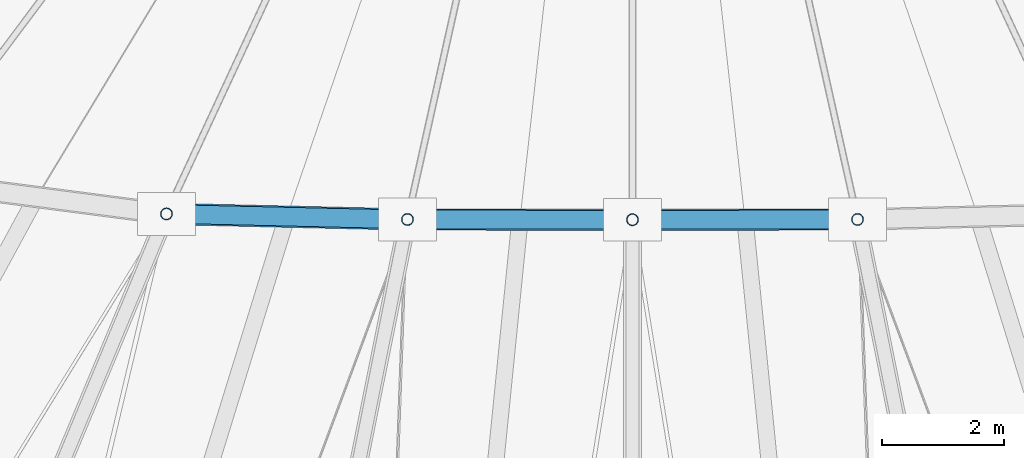
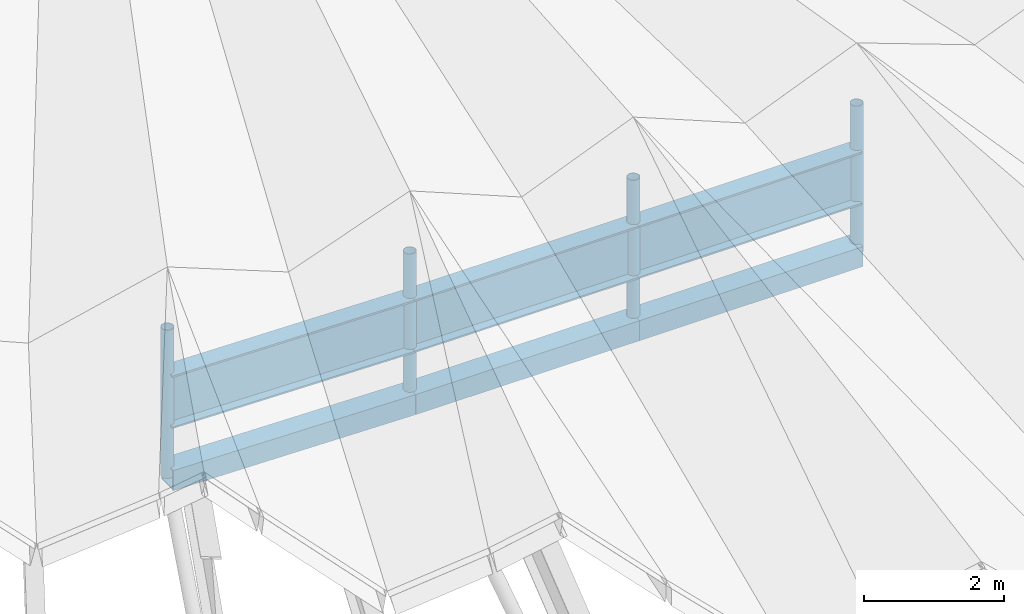
# One storey, part 4 of 41: 7 members, 3 beams.
"""IFC4 building model written with IfcOpenShell, lengths in metres."""

from ifc_helpers import new_model, si_unit, direction, frame, origin, origin_2d, place, context, subcontext, project, spatial, hollow_rectangle, hollow_circle, i_section, extrude, material, material_profile, profile_set, type_object, element, save


model = new_model("IFC4")

# Units and contexts
model_context = context("Model", 3, precision=1e-05, world=origin(), true_north=direction((0.0, 1.0)))
body_context = subcontext(model_context, "Body", "Model", "MODEL_VIEW")
ifc_project = project(units=[si_unit("LENGTHUNIT", "METRE"), si_unit("AREAUNIT", "SQUARE_METRE"), si_unit("VOLUMEUNIT", "CUBIC_METRE"), si_unit("PLANEANGLEUNIT", "RADIAN"), si_unit("MASSUNIT", "GRAM", prefix="KILO")], contexts=[model_context])

# Site, building, storey
site_placement = place(None, origin())
site = spatial("IfcSite", under=ifc_project, at=site_placement, CompositionType="ELEMENT")
building_placement = place(site_placement, origin())
building = spatial("IfcBuilding", under=site, at=building_placement, Name="Luwafu Chhajja Arena", CompositionType="ELEMENT")
storey_placement = place(building_placement, frame((0.0, 0.0, 29.699951171875)))
storey = spatial("IfcBuildingStorey", under=building, at=storey_placement, Name="RF", CompositionType="ELEMENT", Elevation=29.699951171875)

# Members
ifc_material = material(Name="Steel S355", Category="steel")
ifc_material_profile_1 = material_profile(ifc_material, hollow_circle(Radius=0.096923828125, WallThickness=0.008056640625, at=origin_2d()), Name="CHS 193.7x8")
ifc_profile_set_1 = profile_set([ifc_material_profile_1], Name="Steel S355")
member_type_1 = type_object("IfcMemberType", Name="Folded Pleat Tie Strut CHS 194", PredefinedType="BRACE", material=ifc_profile_set_1)
for number, where, z_axis, x_axis, name in (
    (1, (91.38134765625, 33.095458984375, 4.10009765625), (0.0, 0.0, 1.0), (1.0, 0.0, 0.0), "Roof Inner Ring Truss Web IRW-23"),
    (2, (95.321044921875, 33.00439453125, 4.10009765625), (0.0, 0.0, 1.0), (1.0, 0.0, 0.0), "Roof Inner Ring Truss Web IRW-24"),
    (3, (99.0, 33.0, 4.10009765625), (0.0, 0.0, 1.0), (1.0, 0.0, 0.0), "Roof Inner Ring Truss Web IRW-25"),
    (4, (102.678955078125, 33.00439453125, 4.10009765625), (0.0, 0.0, 1.0), (1.0, 0.0, 0.0), "Roof Inner Ring Truss Web IRW-26"),
):
    element("IfcMember", number, at=place(storey_placement, frame(where, z_axis=z_axis, x_axis=x_axis)), inside=storey, type_object=member_type_1, Name=name, PredefinedType="BRACE", context=body_context, shape_type="SweptSolid", body=[
        extrude(hollow_circle(Radius=0.096923828125, WallThickness=0.008056640625, at=origin_2d()), origin(), (0.0, 0.0, 1.0), 2.579833984375),
    ])

# Beams
ifc_material_profile_2 = material_profile(ifc_material, i_section(OverallWidth=0.305419921875, OverallDepth=0.91845703125, WebThickness=0.017333984375, FlangeThickness=0.02783203125, at=origin_2d()), Name="UB 914x305x253")
ifc_profile_set_2 = profile_set([ifc_material_profile_2], Name="Steel S355")
beam_type = type_object("IfcBeamType", Name="Inner Tension Ring Girder UB 914x305x253", PredefinedType="BEAM", material=ifc_profile_set_2)
beam_placement = place(storey_placement, frame((91.38134765625, 33.095458984375, 5.449951171875), z_axis=(0.999732965063, -0.023108408996, 0.0), x_axis=(0.023108408996, 0.999732965063, 0.0)))
element("IfcBeam", 5, at=beam_placement, inside=storey, type_object=beam_type, Name="Roof Inner Tension Ring Beam IR-23", PredefinedType="BEAM", context=body_context, shape_type="SweptSolid", body=[
    extrude(i_section(OverallWidth=0.305419921875, OverallDepth=0.91845703125, WebThickness=0.017333984375, FlangeThickness=0.02783203125, at=origin_2d()), origin(), (0.0, 0.0, 1.0), 3.940673828125),
])
for number, where, z_axis, x_axis, name in (
    (6, (95.321044921875, 33.00439453125, 5.449951171875), (0.999999286579, -0.001194504424, 0.0), (0.001194504424, 0.999999286579, 0.0), "Roof Inner Tension Ring Beam IR-24"),
    (7, (99.0, 33.0, 5.449951171875), (0.999999286579, 0.001194504424, 0.0), (-0.001194504424, 0.999999286579, 0.0), "Roof Inner Tension Ring Beam IR-25"),
):
    element("IfcBeam", number, at=place(storey_placement, frame(where, z_axis=z_axis, x_axis=x_axis)), inside=storey, type_object=beam_type, Name=name, PredefinedType="BEAM", context=body_context, shape_type="SweptSolid", body=[
        extrude(i_section(OverallWidth=0.305419921875, OverallDepth=0.91845703125, WebThickness=0.017333984375, FlangeThickness=0.02783203125, at=origin_2d()), origin(), (0.0, 0.0, 1.0), 3.678955078125),
    ])

# Members
ifc_material_profile_3 = material_profile(ifc_material, hollow_rectangle(XDim=0.35009765625, YDim=0.35009765625, WallThickness=0.01611328125, at=origin_2d()), Name="SHS 350x350x16")
ifc_profile_set_3 = profile_set([ifc_material_profile_3], Name="Steel S355")
member_type_2 = type_object("IfcMemberType", Name="Ring Stabilizing Truss Chord SHS 350", PredefinedType="CHORD", material=ifc_profile_set_3)
member_placement = place(storey_placement, frame((91.38134765625, 33.095458984375, 4.10009765625), z_axis=(0.999732965063, -0.023108408996, 0.0), x_axis=(0.023108408996, 0.999732965063, 0.0)))
element("IfcMember", 8, at=member_placement, inside=storey, type_object=member_type_2, Name="Roof Inner Stabilizing Ring Chord IRC-23", PredefinedType="CHORD", context=body_context, shape_type="SweptSolid", body=[
    extrude(hollow_rectangle(XDim=0.35009765625, YDim=0.35009765625, WallThickness=0.01611328125, at=origin_2d()), origin(), (0.0, 0.0, 1.0), 3.940673828125),
])
for number, where, z_axis, x_axis, name in (
    (9, (95.321044921875, 33.00439453125, 4.10009765625), (0.999999286579, -0.001194504424, 0.0), (0.001194504424, 0.999999286579, 0.0), "Roof Inner Stabilizing Ring Chord IRC-24"),
    (10, (99.0, 33.0, 4.10009765625), (0.999999286579, 0.001194504424, 0.0), (-0.001194504424, 0.999999286579, 0.0), "Roof Inner Stabilizing Ring Chord IRC-25"),
):
    element("IfcMember", number, at=place(storey_placement, frame(where, z_axis=z_axis, x_axis=x_axis)), inside=storey, type_object=member_type_2, Name=name, PredefinedType="CHORD", context=body_context, shape_type="SweptSolid", body=[
        extrude(hollow_rectangle(XDim=0.35009765625, YDim=0.35009765625, WallThickness=0.01611328125, at=origin_2d()), origin(), (0.0, 0.0, 1.0), 3.678955078125),
    ])

save(model, "model.ifc")
